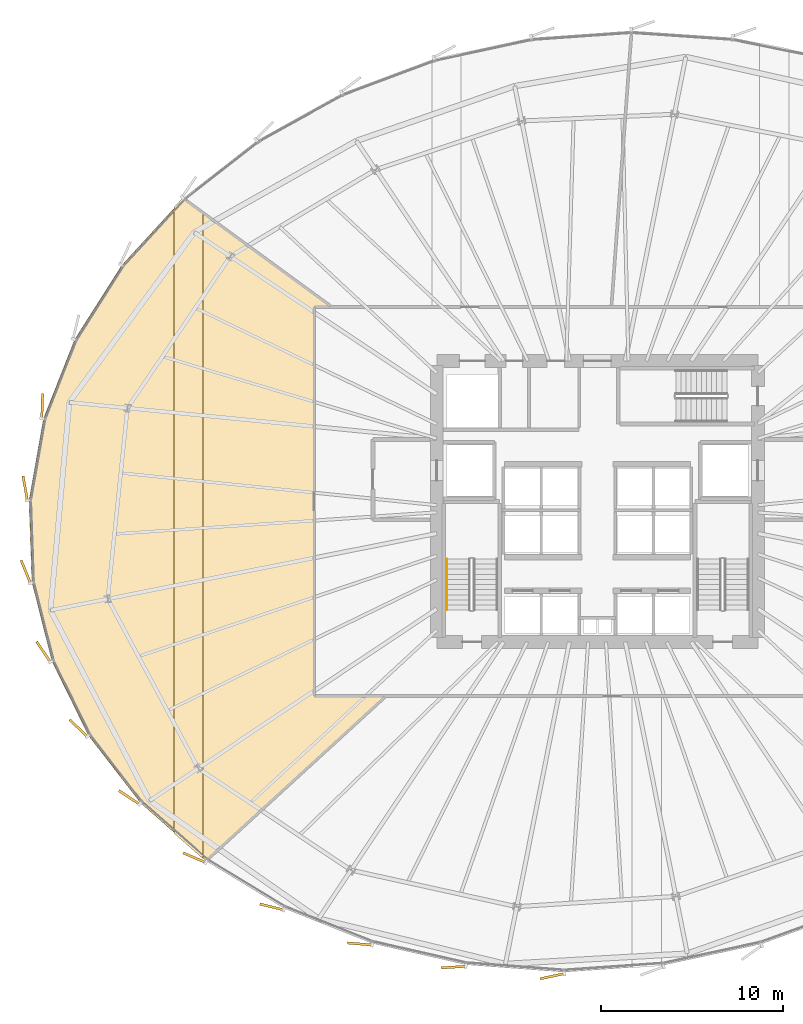
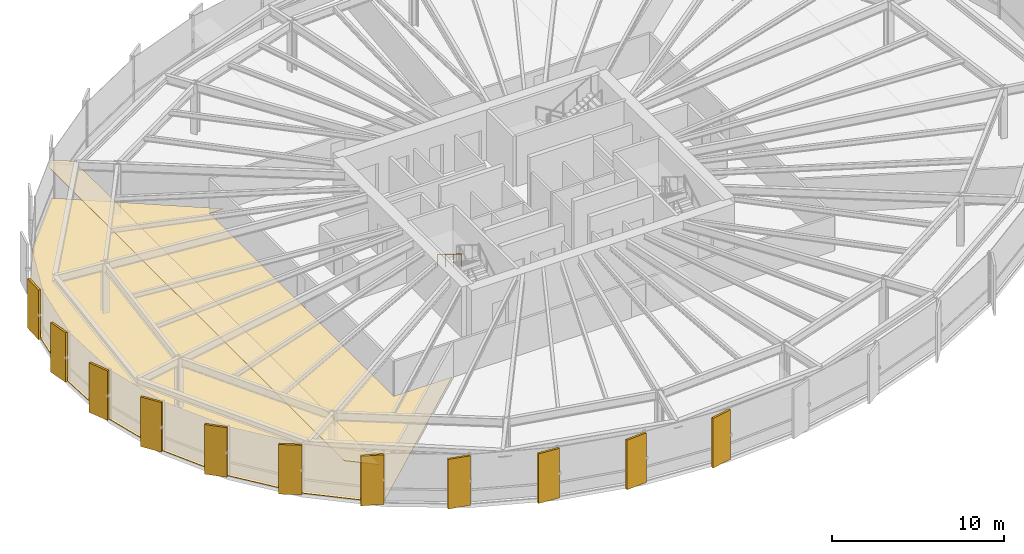
# One storey, part 34 of 38: 13 coverings, 1 railing.
"""IFC4 building model written with IfcOpenShell, lengths in metres."""

from ifc_helpers import new_model, si_unit, direction, frame, origin, origin_2d, place, context, subcontext, project, spatial, polyline, rectangle, circle, outline, extrude, source, transform, mapped, material, layer, layer_set, type_object, element, save


model = new_model("IFC4")

# Units and contexts
model_context = context("Model", 3, precision=1e-05, world=origin(), true_north=direction((0.0, 1.0)))
body_context = subcontext(model_context, "Body", "Model", "MODEL_VIEW")
ifc_project = project(units=[si_unit("LENGTHUNIT", "METRE"), si_unit("AREAUNIT", "SQUARE_METRE"), si_unit("VOLUMEUNIT", "CUBIC_METRE"), si_unit("PLANEANGLEUNIT", "RADIAN"), si_unit("MASSUNIT", "GRAM", prefix="KILO"), si_unit("THERMODYNAMICTEMPERATUREUNIT", "KELVIN")], contexts=[model_context])

# Site, building, storey
site_placement = place(None, origin())
site = spatial("IfcSite", under=ifc_project, at=site_placement, CompositionType="ELEMENT")
building_placement = place(site_placement, origin())
building = spatial("IfcBuilding", under=site, at=building_placement, Name="Kethvar Cultural Tower", CompositionType="ELEMENT")
storey_placement = place(building_placement, frame((0.0, 0.0, 63.800048828125)))
storey = spatial("IfcBuildingStorey", under=building, at=storey_placement, Name="L15", CompositionType="ELEMENT", Elevation=63.800048828125)

# Coverings
ifc_material_1 = material(Name="Acoustic Mineral Fibre Ceiling")
ifc_layer_1 = layer(ifc_material_1, 0.0400390625, Name="Acoustic Mineral Fibre Ceiling")
ifc_layer_set_1 = layer_set([ifc_layer_1], Name="Acoustic Mineral Fibre Ceiling (40 mm)")
covering_type_1 = type_object("IfcCoveringType", Name="CV-ACOUSTIC-CEIL", PredefinedType="CEILING", material=ifc_layer_set_1)
covering_1_placement = place(storey_placement, frame((0.0, 0.0, 2.669921875)))
element("IfcCovering", 1, at=covering_1_placement, inside=storey, type_object=covering_type_1, Name="L15 Room 05 Acoustic Ceiling Panel", PredefinedType="CEILING", context=body_context, shape_type="SweptSolid", body=[
    extrude(outline(polyline([(24.08642578125, 44.4462890625), (25.198974609375, 43.6533203125), (25.198974609375, 8.212890625), (23.60888671875, 9.614501953125), (23.60888671875, 43.92626953125), (24.08642578125, 44.4462890625)])), origin(), (0.0, 0.0, 1.0), 0.0400390625),
])
ifc_material_2 = material(Name="Honed Warm Limestone", Category="masonry")
ifc_layer_2 = layer(ifc_material_2, 0.030029296875, Name="Honed Warm Limestone", Category="masonry")
ifc_layer_set_2 = layer_set([ifc_layer_2], Name="Honed Warm Limestone (30 mm)")
covering_type_2 = type_object("IfcCoveringType", Name="CV-STONE-FLOOR", PredefinedType="FLOORING", material=ifc_layer_set_2)
covering_2_placement = place(storey_placement, origin())
element("IfcCovering", 2, at=covering_2_placement, inside=storey, type_object=covering_type_2, Name="L15 Room 05 Floor Finish", PredefinedType="FLOORING", context=body_context, shape_type="SweptSolid", body=[
    extrude(outline(polyline([(21.7744140625, 11.28515625), (18.92138671875, 14.971923828125), (16.91552734375, 19.04833984375), (15.8173828125, 23.390380859375), (15.66064453125, 27.86669921875), (16.449462890625, 32.3408203125), (18.160400390625, 36.67724609375), (20.74169921875, 40.744140625), (24.103759765625, 44.406005859375), (32.191162109375, 38.47998046875), (31.27001953125, 38.4599609375), (31.27001953125, 17.137939453125), (35.165283203125, 17.1201171875), (25.37548828125, 8.110595703125), (21.7744140625, 11.28515625)])), origin(), (0.0, 0.0, 1.0), 0.030029296875),
])

# Railing
ifc_material_3 = material(Name="Steel S355J2", Category="steel")
railing_type = type_object("IfcRailingType", Name="RL-STAIR-HANDRAIL", PredefinedType="HANDRAIL", material=ifc_material_3)
railing_placement = place(storey_placement, frame((38.5400390625, 24.64990234375, 2.07275390625)))
element("IfcRailing", 3, at=railing_placement, inside=storey, type_object=railing_type, Name="L15 ST-01 stair handrail 2", PredefinedType="HANDRAIL", context=body_context, shape_type="SweptSolid", body=[
    extrude(circle(Radius=0.02392578125, at=origin_2d()), frame((0.0, 0.0, 0.8759765625), z_axis=(0.0, -0.851069175582, 0.525053576669), x_axis=(1.0, 0.0, 0.0)), (0.0, 0.0, 1.0), 3.289794921875),
    extrude(circle(Radius=0.02099609375, at=origin_2d()), origin(), (0.0, 0.0, 1.0), 0.851806640625),
    extrude(circle(Radius=0.02099609375, at=origin_2d()), frame((0.0, -0.933349609375, 0.57568359375)), (0.0, 0.0, 1.0), 0.851806640625),
    extrude(circle(Radius=0.02099609375, at=origin_2d()), frame((0.0, -1.866455078125, 1.151611328125)), (0.0, 0.0, 1.0), 0.851806640625),
    extrude(circle(Radius=0.02099609375, at=origin_2d()), frame((0.0, -2.7998046875, 1.727294921875)), (0.0, 0.0, 1.0), 0.851806640625),
])

# Coverings
ifc_material_4 = material(Name="Extruded Architectural Terracotta", Category="masonry")
ifc_layer_3 = layer(ifc_material_4, 0.135009765625, Name="Extruded Architectural Terracotta", Category="masonry")
ifc_layer_set_3 = layer_set([ifc_layer_3], Name="Extruded Architectural Terracotta (135 mm)")
covering_type_3 = type_object("IfcCoveringType", Name="Terracotta Facade Fin FIN-01", PredefinedType="CLADDING", material=ifc_layer_set_3)
shared_shape = source(origin(), body_context, "Body", "SweptSolid", [
    extrude(rectangle(XDim=1.35009765625, YDim=0.135009765625, at=origin_2d()), origin(), (0.0, 0.0, 1.0), 3.510009765625),
])
for number, where, z_axis, x_axis, name in (
    (4, (16.375, 33.03466796875, 0.02001953125), (0.0, 0.0, 1.0), (0.034899496703, 0.999390827019, 0.0), "L15 Vertical Terracotta Fin 3.5"),
    (5, (15.443115234375, 28.52978515625, 0.02001953125), (0.0, 0.0, 1.0), (-0.173820056399, 0.984777430688, 0.0), "L15 Vertical Terracotta Fin 3.6"),
    (6, (15.4755859375, 23.9521484375, 0.02001953125), (0.0, 0.0, 1.0), (-0.377679186163, 0.925936516366, 0.0), "L15 Vertical Terracotta Fin 4.1"),
    (7, (16.445556640625, 19.564453125, 0.02001953125), (0.0, 0.0, 1.0), (-0.562083377852, 0.827080574275, 0.0), "L15 Vertical Terracotta Fin 4.2"),
    (8, (18.35791015625, 15.383544921875, 0.02001953125), (0.0, 0.0, 1.0), (-0.71605832497, 0.698040453872, 0.0), "L15 Vertical Terracotta Fin 4.3"),
    (9, (21.143310546875, 11.5830078125, 0.02001953125), (0.0, 0.0, 1.0), (-0.834847863263, 0.550480740085, 0.0), "L15 Vertical Terracotta Fin 4.4"),
    (10, (24.714111328125, 8.281494140625, 0.02001953125), (0.0, 0.0, 1.0), (-0.918860091955, 0.394583491055, 0.0), "L15 Vertical Terracotta Fin 4.5"),
    (11, (28.95751953125, 5.581298828125, 0.02001953125), (0.0, 0.0, 1.0), (-0.971300571005, 0.237855419878, 0.0), "L15 Vertical Terracotta Fin 4.6"),
    (12, (33.781982421875, 3.55322265625, 0.02001953125), (0.0, 0.0, 1.0), (-0.996463589463, 0.084025679855, 0.0), "L15 Vertical Terracotta Fin 5.1"),
    (13, (38.916015625, 2.285400390625, 0.02001953125), (0.0, 0.0, 1.0), (-0.997904340061, -0.064706476401, 0.0), "L15 Vertical Terracotta Fin 5.2"),
    (14, (44.323974609375, 1.784912109375, 0.02001953125), (0.0, 0.0, 1.0), (-0.978147600734, -0.207911690818, 0.0), "L15 Vertical Terracotta Fin 5.3"),
):
    element("IfcCovering", number, at=place(storey_placement, frame(where, z_axis=z_axis, x_axis=x_axis)), inside=storey, type_object=covering_type_3, Name=name, PredefinedType="CLADDING", context=body_context, shape_type="MappedRepresentation", body=[
        mapped(shared_shape, transform((0.0, 0.0, 0.0), scale=1.0)),
    ])

save(model, "model.ifc")
